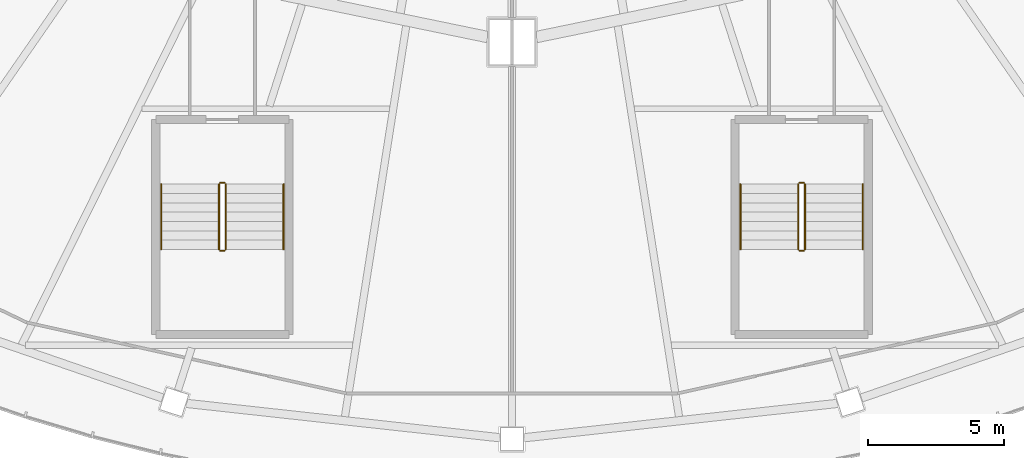
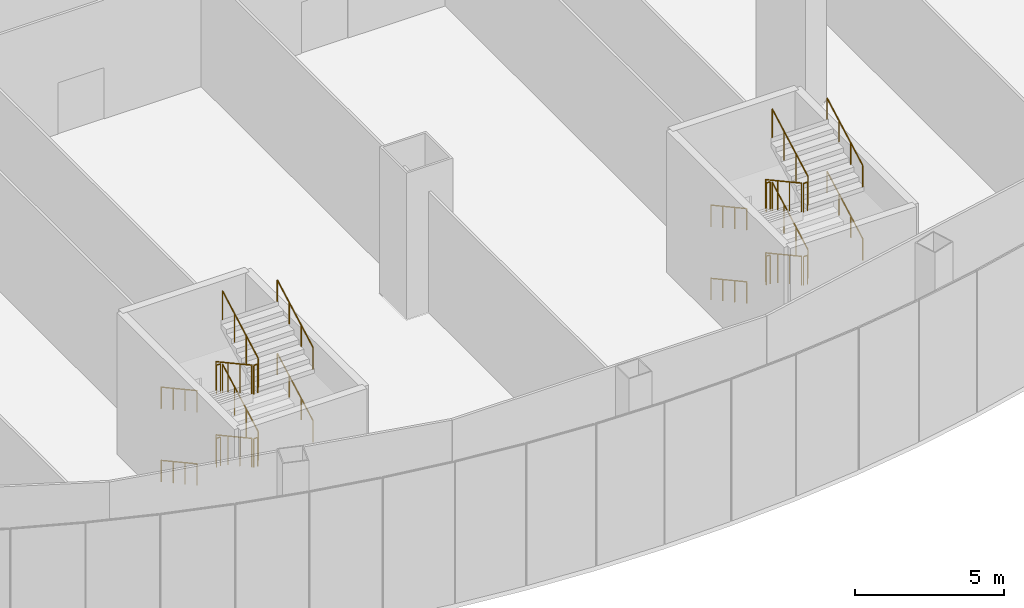
# One storey, part 35 of 37: 24 railings.
"""IFC4 building model written with IfcOpenShell, lengths in metres."""

from ifc_helpers import new_model, si_unit, direction, frame, origin, origin_2d, place, context, subcontext, project, spatial, circle, extrude, material, type_object, element, save


model = new_model("IFC4")

# Units and contexts
model_context = context("Model", 3, precision=1e-05, world=origin(), true_north=direction((0.0, 1.0)))
body_context = subcontext(model_context, "Body", "Model", "MODEL_VIEW")
ifc_project = project(units=[si_unit("LENGTHUNIT", "METRE"), si_unit("AREAUNIT", "SQUARE_METRE"), si_unit("VOLUMEUNIT", "CUBIC_METRE"), si_unit("PLANEANGLEUNIT", "RADIAN"), si_unit("MASSUNIT", "GRAM", prefix="KILO")], contexts=[model_context])

# Site, building, storey
site_placement = place(None, origin())
site = spatial("IfcSite", under=ifc_project, at=site_placement, CompositionType="ELEMENT")
building_placement = place(site_placement, origin())
building = spatial("IfcBuilding", under=site, at=building_placement, Name="Sahrelin Media Tower", CompositionType="ELEMENT")
storey_placement = place(building_placement, frame((0.0, 0.0, 31.39990234375)))
storey = spatial("IfcBuildingStorey", under=building, at=storey_placement, Name="L04", CompositionType="ELEMENT", Elevation=31.39990234375)

# Railings
ifc_material = material(Name="Steel S355", Category="steel")
railing_type_1 = type_object("IfcRailingType", Name="Stair guard 1200", PredefinedType="GUARDRAIL", material=ifc_material)
railing_1_placement = place(storey_placement, frame((-10.77490234375, -30.625, 0.1875)))
element("IfcRailing", 1, at=railing_1_placement, inside=storey, type_object=railing_type_1, Name="L04 PS3 stair guard 1", PredefinedType="GUARDRAIL", context=body_context, shape_type="SweptSolid", body=[
    extrude(circle(Radius=0.02392578125, at=origin_2d()), frame((0.0, 0.0, 1.17578125), z_axis=(0.0, -0.877362920242, 0.479827371233), x_axis=(1.0, 0.0, 0.0)), (0.0, 0.0, 1.0), 2.7353515625),
    extrude(circle(Radius=0.02099609375, at=origin_2d()), origin(), (0.0, 0.0, 1.0), 1.15185546875),
    extrude(circle(Radius=0.02099609375, at=origin_2d()), frame((0.0, -0.800048828125, 0.4375)), (0.0, 0.0, 1.0), 1.15185546875),
    extrude(circle(Radius=0.02099609375, at=origin_2d()), frame((0.0, -1.599853515625, 0.875)), (0.0, 0.0, 1.0), 1.15185546875),
    extrude(circle(Radius=0.02099609375, at=origin_2d()), frame((0.0, -2.39990234375, 1.3125)), (0.0, 0.0, 1.0), 1.15185546875),
])
railing_2_placement = place(storey_placement, frame((-10.72509765625, -33.074951171875, 1.5)))
element("IfcRailing", 2, at=railing_2_placement, inside=storey, type_object=railing_type_1, Name="L04 PS3 stair guard 2", PredefinedType="GUARDRAIL", context=body_context, shape_type="SweptSolid", body=[
    extrude(circle(Radius=0.02392578125, at=origin_2d()), frame((0.0, 0.0, 1.17578125), z_axis=(1.0, 0.0, 0.0), x_axis=(0.0, 1.0, 0.0)), (0.0, 0.0, 1.0), 0.150146484375),
    extrude(circle(Radius=0.02099609375, at=origin_2d()), origin(), (0.0, 0.0, 1.0), 1.15185546875),
    extrude(circle(Radius=0.02099609375, at=origin_2d()), frame((0.150146484375, 0.0, 0.0)), (0.0, 0.0, 1.0), 1.15185546875),
])
railing_3_placement = place(storey_placement, frame((-10.52490234375, -33.02490234375, 1.6875)))
element("IfcRailing", 3, at=railing_3_placement, inside=storey, type_object=railing_type_1, Name="L04 PS3 stair guard 3", PredefinedType="GUARDRAIL", context=body_context, shape_type="SweptSolid", body=[
    extrude(circle(Radius=0.02392578125, at=origin_2d()), frame((0.0, 0.0, 1.17578125), z_axis=(0.0, 0.877362920242, 0.479827371233), x_axis=(-1.0, 0.0, 0.0)), (0.0, 0.0, 1.0), 2.7353515625),
    extrude(circle(Radius=0.02099609375, at=origin_2d()), origin(), (0.0, 0.0, 1.0), 1.15185546875),
    extrude(circle(Radius=0.02099609375, at=origin_2d()), frame((0.0, 0.800048828125, 0.4375)), (0.0, 0.0, 1.0), 1.15185546875),
    extrude(circle(Radius=0.02099609375, at=origin_2d()), frame((0.0, 1.599853515625, 0.875)), (0.0, 0.0, 1.0), 1.15185546875),
    extrude(circle(Radius=0.02099609375, at=origin_2d()), frame((0.0, 2.39990234375, 1.3125)), (0.0, 0.0, 1.0), 1.15185546875),
])
railing_4_placement = place(storey_placement, frame((-10.72509765625, -30.574951171875, 3.0)))
element("IfcRailing", 4, at=railing_4_placement, inside=storey, type_object=railing_type_1, Name="L04 PS3 stair guard 4", PredefinedType="GUARDRAIL", context=body_context, shape_type="SweptSolid", body=[
    extrude(circle(Radius=0.02392578125, at=origin_2d()), frame((0.0, 0.0, 1.17578125), z_axis=(1.0, 0.0, 0.0), x_axis=(0.0, 1.0, 0.0)), (0.0, 0.0, 1.0), 0.150146484375),
    extrude(circle(Radius=0.02099609375, at=origin_2d()), origin(), (0.0, 0.0, 1.0), 1.15185546875),
    extrude(circle(Radius=0.02099609375, at=origin_2d()), frame((0.150146484375, 0.0, 0.0)), (0.0, 0.0, 1.0), 1.15185546875),
])
railing_5_placement = place(storey_placement, frame((-10.77490234375, -30.625, 3.1875)))
element("IfcRailing", 5, at=railing_5_placement, inside=storey, type_object=railing_type_1, Name="L04 PS3 stair guard 5", PredefinedType="GUARDRAIL", context=body_context, shape_type="SweptSolid", body=[
    extrude(circle(Radius=0.02392578125, at=origin_2d()), frame((0.0, 0.0, 1.17578125), z_axis=(0.0, -0.877362920242, 0.479827371233), x_axis=(1.0, 0.0, 0.0)), (0.0, 0.0, 1.0), 2.7353515625),
    extrude(circle(Radius=0.02099609375, at=origin_2d()), origin(), (0.0, 0.0, 1.0), 1.15185546875),
    extrude(circle(Radius=0.02099609375, at=origin_2d()), frame((0.0, -0.800048828125, 0.4375)), (0.0, 0.0, 1.0), 1.15185546875),
    extrude(circle(Radius=0.02099609375, at=origin_2d()), frame((0.0, -1.599853515625, 0.875)), (0.0, 0.0, 1.0), 1.15185546875),
    extrude(circle(Radius=0.02099609375, at=origin_2d()), frame((0.0, -2.39990234375, 1.3125)), (0.0, 0.0, 1.0), 1.15185546875),
])
railing_6_placement = place(storey_placement, frame((-10.72509765625, -33.074951171875, 4.5)))
element("IfcRailing", 6, at=railing_6_placement, inside=storey, type_object=railing_type_1, Name="L04 PS3 stair guard 6", PredefinedType="GUARDRAIL", context=body_context, shape_type="SweptSolid", body=[
    extrude(circle(Radius=0.02392578125, at=origin_2d()), frame((0.0, 0.0, 1.17578125), z_axis=(1.0, 0.0, 0.0), x_axis=(0.0, 1.0, 0.0)), (0.0, 0.0, 1.0), 0.150146484375),
    extrude(circle(Radius=0.02099609375, at=origin_2d()), origin(), (0.0, 0.0, 1.0), 1.15185546875),
    extrude(circle(Radius=0.02099609375, at=origin_2d()), frame((0.150146484375, 0.0, 0.0)), (0.0, 0.0, 1.0), 1.15185546875),
])
railing_7_placement = place(storey_placement, frame((-10.52490234375, -33.02490234375, 4.6875)))
element("IfcRailing", 7, at=railing_7_placement, inside=storey, type_object=railing_type_1, Name="L04 PS3 stair guard 7", PredefinedType="GUARDRAIL", context=body_context, shape_type="SweptSolid", body=[
    extrude(circle(Radius=0.02392578125, at=origin_2d()), frame((0.0, 0.0, 1.17578125), z_axis=(0.0, 0.877362920242, 0.479827371233), x_axis=(-1.0, 0.0, 0.0)), (0.0, 0.0, 1.0), 2.7353515625),
    extrude(circle(Radius=0.02099609375, at=origin_2d()), origin(), (0.0, 0.0, 1.0), 1.15185546875),
    extrude(circle(Radius=0.02099609375, at=origin_2d()), frame((0.0, 0.800048828125, 0.4375)), (0.0, 0.0, 1.0), 1.15185546875),
    extrude(circle(Radius=0.02099609375, at=origin_2d()), frame((0.0, 1.599853515625, 0.875)), (0.0, 0.0, 1.0), 1.15185546875),
    extrude(circle(Radius=0.02099609375, at=origin_2d()), frame((0.0, 2.39990234375, 1.3125)), (0.0, 0.0, 1.0), 1.15185546875),
])
railing_8_placement = place(storey_placement, frame((-10.72509765625, -30.574951171875, 0.0)))
element("IfcRailing", 8, at=railing_8_placement, inside=storey, type_object=railing_type_1, Name="L04 PS3 stair guard 8", PredefinedType="GUARDRAIL", context=body_context, shape_type="SweptSolid", body=[
    extrude(circle(Radius=0.02392578125, at=origin_2d()), frame((0.0, 0.0, 1.17578125), z_axis=(1.0, 0.0, 0.0), x_axis=(0.0, 1.0, 0.0)), (0.0, 0.0, 1.0), 0.150146484375),
    extrude(circle(Radius=0.02099609375, at=origin_2d()), origin(), (0.0, 0.0, 1.0), 1.15185546875),
    extrude(circle(Radius=0.02099609375, at=origin_2d()), frame((0.150146484375, 0.0, 0.0)), (0.0, 0.0, 1.0), 1.15185546875),
])
railing_9_placement = place(storey_placement, frame((10.52490234375, -30.625, 0.1875)))
element("IfcRailing", 9, at=railing_9_placement, inside=storey, type_object=railing_type_1, Name="L04 PS4 stair guard 1", PredefinedType="GUARDRAIL", context=body_context, shape_type="SweptSolid", body=[
    extrude(circle(Radius=0.02392578125, at=origin_2d()), frame((0.0, 0.0, 1.17578125), z_axis=(0.0, -0.877362920242, 0.479827371233), x_axis=(1.0, 0.0, 0.0)), (0.0, 0.0, 1.0), 2.7353515625),
    extrude(circle(Radius=0.02099609375, at=origin_2d()), origin(), (0.0, 0.0, 1.0), 1.15185546875),
    extrude(circle(Radius=0.02099609375, at=origin_2d()), frame((0.0, -0.800048828125, 0.4375)), (0.0, 0.0, 1.0), 1.15185546875),
    extrude(circle(Radius=0.02099609375, at=origin_2d()), frame((0.0, -1.599853515625, 0.875)), (0.0, 0.0, 1.0), 1.15185546875),
    extrude(circle(Radius=0.02099609375, at=origin_2d()), frame((0.0, -2.39990234375, 1.3125)), (0.0, 0.0, 1.0), 1.15185546875),
])
railing_10_placement = place(storey_placement, frame((10.574951171875, -33.074951171875, 1.5)))
element("IfcRailing", 10, at=railing_10_placement, inside=storey, type_object=railing_type_1, Name="L04 PS4 stair guard 2", PredefinedType="GUARDRAIL", context=body_context, shape_type="SweptSolid", body=[
    extrude(circle(Radius=0.02392578125, at=origin_2d()), frame((0.0, 0.0, 1.17578125), z_axis=(1.0, 0.0, 0.0), x_axis=(0.0, 1.0, 0.0)), (0.0, 0.0, 1.0), 0.150146484375),
    extrude(circle(Radius=0.02099609375, at=origin_2d()), origin(), (0.0, 0.0, 1.0), 1.15185546875),
    extrude(circle(Radius=0.02099609375, at=origin_2d()), frame((0.150146484375, 0.0, 0.0)), (0.0, 0.0, 1.0), 1.15185546875),
])
railing_11_placement = place(storey_placement, frame((10.77490234375, -33.02490234375, 1.6875)))
element("IfcRailing", 11, at=railing_11_placement, inside=storey, type_object=railing_type_1, Name="L04 PS4 stair guard 3", PredefinedType="GUARDRAIL", context=body_context, shape_type="SweptSolid", body=[
    extrude(circle(Radius=0.02392578125, at=origin_2d()), frame((0.0, 0.0, 1.17578125), z_axis=(0.0, 0.877362920242, 0.479827371233), x_axis=(-1.0, 0.0, 0.0)), (0.0, 0.0, 1.0), 2.7353515625),
    extrude(circle(Radius=0.02099609375, at=origin_2d()), origin(), (0.0, 0.0, 1.0), 1.15185546875),
    extrude(circle(Radius=0.02099609375, at=origin_2d()), frame((0.0, 0.800048828125, 0.4375)), (0.0, 0.0, 1.0), 1.15185546875),
    extrude(circle(Radius=0.02099609375, at=origin_2d()), frame((0.0, 1.599853515625, 0.875)), (0.0, 0.0, 1.0), 1.15185546875),
    extrude(circle(Radius=0.02099609375, at=origin_2d()), frame((0.0, 2.39990234375, 1.3125)), (0.0, 0.0, 1.0), 1.15185546875),
])
railing_12_placement = place(storey_placement, frame((10.574951171875, -30.574951171875, 3.0)))
element("IfcRailing", 12, at=railing_12_placement, inside=storey, type_object=railing_type_1, Name="L04 PS4 stair guard 4", PredefinedType="GUARDRAIL", context=body_context, shape_type="SweptSolid", body=[
    extrude(circle(Radius=0.02392578125, at=origin_2d()), frame((0.0, 0.0, 1.17578125), z_axis=(1.0, 0.0, 0.0), x_axis=(0.0, 1.0, 0.0)), (0.0, 0.0, 1.0), 0.150146484375),
    extrude(circle(Radius=0.02099609375, at=origin_2d()), origin(), (0.0, 0.0, 1.0), 1.15185546875),
    extrude(circle(Radius=0.02099609375, at=origin_2d()), frame((0.150146484375, 0.0, 0.0)), (0.0, 0.0, 1.0), 1.15185546875),
])
railing_13_placement = place(storey_placement, frame((10.52490234375, -30.625, 3.1875)))
element("IfcRailing", 13, at=railing_13_placement, inside=storey, type_object=railing_type_1, Name="L04 PS4 stair guard 5", PredefinedType="GUARDRAIL", context=body_context, shape_type="SweptSolid", body=[
    extrude(circle(Radius=0.02392578125, at=origin_2d()), frame((0.0, 0.0, 1.17578125), z_axis=(0.0, -0.877362920242, 0.479827371233), x_axis=(1.0, 0.0, 0.0)), (0.0, 0.0, 1.0), 2.7353515625),
    extrude(circle(Radius=0.02099609375, at=origin_2d()), origin(), (0.0, 0.0, 1.0), 1.15185546875),
    extrude(circle(Radius=0.02099609375, at=origin_2d()), frame((0.0, -0.800048828125, 0.4375)), (0.0, 0.0, 1.0), 1.15185546875),
    extrude(circle(Radius=0.02099609375, at=origin_2d()), frame((0.0, -1.599853515625, 0.875)), (0.0, 0.0, 1.0), 1.15185546875),
    extrude(circle(Radius=0.02099609375, at=origin_2d()), frame((0.0, -2.39990234375, 1.3125)), (0.0, 0.0, 1.0), 1.15185546875),
])
railing_14_placement = place(storey_placement, frame((10.574951171875, -33.074951171875, 4.5)))
element("IfcRailing", 14, at=railing_14_placement, inside=storey, type_object=railing_type_1, Name="L04 PS4 stair guard 6", PredefinedType="GUARDRAIL", context=body_context, shape_type="SweptSolid", body=[
    extrude(circle(Radius=0.02392578125, at=origin_2d()), frame((0.0, 0.0, 1.17578125), z_axis=(1.0, 0.0, 0.0), x_axis=(0.0, 1.0, 0.0)), (0.0, 0.0, 1.0), 0.150146484375),
    extrude(circle(Radius=0.02099609375, at=origin_2d()), origin(), (0.0, 0.0, 1.0), 1.15185546875),
    extrude(circle(Radius=0.02099609375, at=origin_2d()), frame((0.150146484375, 0.0, 0.0)), (0.0, 0.0, 1.0), 1.15185546875),
])
railing_15_placement = place(storey_placement, frame((10.77490234375, -33.02490234375, 4.6875)))
element("IfcRailing", 15, at=railing_15_placement, inside=storey, type_object=railing_type_1, Name="L04 PS4 stair guard 7", PredefinedType="GUARDRAIL", context=body_context, shape_type="SweptSolid", body=[
    extrude(circle(Radius=0.02392578125, at=origin_2d()), frame((0.0, 0.0, 1.17578125), z_axis=(0.0, 0.877362920242, 0.479827371233), x_axis=(-1.0, 0.0, 0.0)), (0.0, 0.0, 1.0), 2.7353515625),
    extrude(circle(Radius=0.02099609375, at=origin_2d()), origin(), (0.0, 0.0, 1.0), 1.15185546875),
    extrude(circle(Radius=0.02099609375, at=origin_2d()), frame((0.0, 0.800048828125, 0.4375)), (0.0, 0.0, 1.0), 1.15185546875),
    extrude(circle(Radius=0.02099609375, at=origin_2d()), frame((0.0, 1.599853515625, 0.875)), (0.0, 0.0, 1.0), 1.15185546875),
    extrude(circle(Radius=0.02099609375, at=origin_2d()), frame((0.0, 2.39990234375, 1.3125)), (0.0, 0.0, 1.0), 1.15185546875),
])
railing_16_placement = place(storey_placement, frame((10.574951171875, -30.574951171875, 0.0)))
element("IfcRailing", 16, at=railing_16_placement, inside=storey, type_object=railing_type_1, Name="L04 PS4 stair guard 8", PredefinedType="GUARDRAIL", context=body_context, shape_type="SweptSolid", body=[
    extrude(circle(Radius=0.02392578125, at=origin_2d()), frame((0.0, 0.0, 1.17578125), z_axis=(1.0, 0.0, 0.0), x_axis=(0.0, 1.0, 0.0)), (0.0, 0.0, 1.0), 0.150146484375),
    extrude(circle(Radius=0.02099609375, at=origin_2d()), origin(), (0.0, 0.0, 1.0), 1.15185546875),
    extrude(circle(Radius=0.02099609375, at=origin_2d()), frame((0.150146484375, 0.0, 0.0)), (0.0, 0.0, 1.0), 1.15185546875),
])
railing_type_2 = type_object("IfcRailingType", Name="Stair handrail 900", PredefinedType="HANDRAIL", material=ifc_material)
railing_17_placement = place(storey_placement, frame((-12.89990234375, -30.625, 0.1875)))
element("IfcRailing", 17, at=railing_17_placement, inside=storey, type_object=railing_type_2, Name="L04 PS3 stair handrail 1", PredefinedType="HANDRAIL", context=body_context, shape_type="SweptSolid", body=[
    extrude(circle(Radius=0.02392578125, at=origin_2d()), frame((0.0, 0.0, 0.8759765625), z_axis=(0.0, -0.877362920242, 0.479827371233), x_axis=(1.0, 0.0, 0.0)), (0.0, 0.0, 1.0), 2.7353515625),
    extrude(circle(Radius=0.02099609375, at=origin_2d()), origin(), (0.0, 0.0, 1.0), 0.851806640625),
    extrude(circle(Radius=0.02099609375, at=origin_2d()), frame((0.0, -0.800048828125, 0.4375)), (0.0, 0.0, 1.0), 0.851806640625),
    extrude(circle(Radius=0.02099609375, at=origin_2d()), frame((0.0, -1.599853515625, 0.875)), (0.0, 0.0, 1.0), 0.851806640625),
    extrude(circle(Radius=0.02099609375, at=origin_2d()), frame((0.0, -2.39990234375, 1.3125)), (0.0, 0.0, 1.0), 0.851806640625),
])
railing_18_placement = place(storey_placement, frame((-8.39990234375, -33.02490234375, 1.6875)))
element("IfcRailing", 18, at=railing_18_placement, inside=storey, type_object=railing_type_2, Name="L04 PS3 stair handrail 2", PredefinedType="HANDRAIL", context=body_context, shape_type="SweptSolid", body=[
    extrude(circle(Radius=0.02392578125, at=origin_2d()), frame((0.0, 0.0, 0.8759765625), z_axis=(0.0, 0.877362920242, 0.479827371233), x_axis=(-1.0, 0.0, 0.0)), (0.0, 0.0, 1.0), 2.7353515625),
    extrude(circle(Radius=0.02099609375, at=origin_2d()), origin(), (0.0, 0.0, 1.0), 0.851806640625),
    extrude(circle(Radius=0.02099609375, at=origin_2d()), frame((0.0, 0.800048828125, 0.4375)), (0.0, 0.0, 1.0), 0.851806640625),
    extrude(circle(Radius=0.02099609375, at=origin_2d()), frame((0.0, 1.599853515625, 0.875)), (0.0, 0.0, 1.0), 0.851806640625),
    extrude(circle(Radius=0.02099609375, at=origin_2d()), frame((0.0, 2.39990234375, 1.3125)), (0.0, 0.0, 1.0), 0.851806640625),
])
railing_19_placement = place(storey_placement, frame((-12.89990234375, -30.625, 3.1875)))
element("IfcRailing", 19, at=railing_19_placement, inside=storey, type_object=railing_type_2, Name="L04 PS3 stair handrail 3", PredefinedType="HANDRAIL", context=body_context, shape_type="SweptSolid", body=[
    extrude(circle(Radius=0.02392578125, at=origin_2d()), frame((0.0, 0.0, 0.8759765625), z_axis=(0.0, -0.877362920242, 0.479827371233), x_axis=(1.0, 0.0, 0.0)), (0.0, 0.0, 1.0), 2.7353515625),
    extrude(circle(Radius=0.02099609375, at=origin_2d()), origin(), (0.0, 0.0, 1.0), 0.851806640625),
    extrude(circle(Radius=0.02099609375, at=origin_2d()), frame((0.0, -0.800048828125, 0.4375)), (0.0, 0.0, 1.0), 0.851806640625),
    extrude(circle(Radius=0.02099609375, at=origin_2d()), frame((0.0, -1.599853515625, 0.875)), (0.0, 0.0, 1.0), 0.851806640625),
    extrude(circle(Radius=0.02099609375, at=origin_2d()), frame((0.0, -2.39990234375, 1.3125)), (0.0, 0.0, 1.0), 0.851806640625),
])
railing_20_placement = place(storey_placement, frame((-8.39990234375, -33.02490234375, 4.6875)))
element("IfcRailing", 20, at=railing_20_placement, inside=storey, type_object=railing_type_2, Name="L04 PS3 stair handrail 4", PredefinedType="HANDRAIL", context=body_context, shape_type="SweptSolid", body=[
    extrude(circle(Radius=0.02392578125, at=origin_2d()), frame((0.0, 0.0, 0.8759765625), z_axis=(0.0, 0.877362920242, 0.479827371233), x_axis=(-1.0, 0.0, 0.0)), (0.0, 0.0, 1.0), 2.7353515625),
    extrude(circle(Radius=0.02099609375, at=origin_2d()), origin(), (0.0, 0.0, 1.0), 0.851806640625),
    extrude(circle(Radius=0.02099609375, at=origin_2d()), frame((0.0, 0.800048828125, 0.4375)), (0.0, 0.0, 1.0), 0.851806640625),
    extrude(circle(Radius=0.02099609375, at=origin_2d()), frame((0.0, 1.599853515625, 0.875)), (0.0, 0.0, 1.0), 0.851806640625),
    extrude(circle(Radius=0.02099609375, at=origin_2d()), frame((0.0, 2.39990234375, 1.3125)), (0.0, 0.0, 1.0), 0.851806640625),
])
railing_21_placement = place(storey_placement, frame((8.39990234375, -30.625, 0.1875)))
element("IfcRailing", 21, at=railing_21_placement, inside=storey, type_object=railing_type_2, Name="L04 PS4 stair handrail 1", PredefinedType="HANDRAIL", context=body_context, shape_type="SweptSolid", body=[
    extrude(circle(Radius=0.02392578125, at=origin_2d()), frame((0.0, 0.0, 0.8759765625), z_axis=(0.0, -0.877362920242, 0.479827371233), x_axis=(1.0, 0.0, 0.0)), (0.0, 0.0, 1.0), 2.7353515625),
    extrude(circle(Radius=0.02099609375, at=origin_2d()), origin(), (0.0, 0.0, 1.0), 0.851806640625),
    extrude(circle(Radius=0.02099609375, at=origin_2d()), frame((0.0, -0.800048828125, 0.4375)), (0.0, 0.0, 1.0), 0.851806640625),
    extrude(circle(Radius=0.02099609375, at=origin_2d()), frame((0.0, -1.599853515625, 0.875)), (0.0, 0.0, 1.0), 0.851806640625),
    extrude(circle(Radius=0.02099609375, at=origin_2d()), frame((0.0, -2.39990234375, 1.3125)), (0.0, 0.0, 1.0), 0.851806640625),
])
railing_22_placement = place(storey_placement, frame((12.89990234375, -33.02490234375, 1.6875)))
element("IfcRailing", 22, at=railing_22_placement, inside=storey, type_object=railing_type_2, Name="L04 PS4 stair handrail 2", PredefinedType="HANDRAIL", context=body_context, shape_type="SweptSolid", body=[
    extrude(circle(Radius=0.02392578125, at=origin_2d()), frame((0.0, 0.0, 0.8759765625), z_axis=(0.0, 0.877362920242, 0.479827371233), x_axis=(-1.0, 0.0, 0.0)), (0.0, 0.0, 1.0), 2.7353515625),
    extrude(circle(Radius=0.02099609375, at=origin_2d()), origin(), (0.0, 0.0, 1.0), 0.851806640625),
    extrude(circle(Radius=0.02099609375, at=origin_2d()), frame((0.0, 0.800048828125, 0.4375)), (0.0, 0.0, 1.0), 0.851806640625),
    extrude(circle(Radius=0.02099609375, at=origin_2d()), frame((0.0, 1.599853515625, 0.875)), (0.0, 0.0, 1.0), 0.851806640625),
    extrude(circle(Radius=0.02099609375, at=origin_2d()), frame((0.0, 2.39990234375, 1.3125)), (0.0, 0.0, 1.0), 0.851806640625),
])
railing_23_placement = place(storey_placement, frame((8.39990234375, -30.625, 3.1875)))
element("IfcRailing", 23, at=railing_23_placement, inside=storey, type_object=railing_type_2, Name="L04 PS4 stair handrail 3", PredefinedType="HANDRAIL", context=body_context, shape_type="SweptSolid", body=[
    extrude(circle(Radius=0.02392578125, at=origin_2d()), frame((0.0, 0.0, 0.8759765625), z_axis=(0.0, -0.877362920242, 0.479827371233), x_axis=(1.0, 0.0, 0.0)), (0.0, 0.0, 1.0), 2.7353515625),
    extrude(circle(Radius=0.02099609375, at=origin_2d()), origin(), (0.0, 0.0, 1.0), 0.851806640625),
    extrude(circle(Radius=0.02099609375, at=origin_2d()), frame((0.0, -0.800048828125, 0.4375)), (0.0, 0.0, 1.0), 0.851806640625),
    extrude(circle(Radius=0.02099609375, at=origin_2d()), frame((0.0, -1.599853515625, 0.875)), (0.0, 0.0, 1.0), 0.851806640625),
    extrude(circle(Radius=0.02099609375, at=origin_2d()), frame((0.0, -2.39990234375, 1.3125)), (0.0, 0.0, 1.0), 0.851806640625),
])
railing_24_placement = place(storey_placement, frame((12.89990234375, -33.02490234375, 4.6875)))
element("IfcRailing", 24, at=railing_24_placement, inside=storey, type_object=railing_type_2, Name="L04 PS4 stair handrail 4", PredefinedType="HANDRAIL", context=body_context, shape_type="SweptSolid", body=[
    extrude(circle(Radius=0.02392578125, at=origin_2d()), frame((0.0, 0.0, 0.8759765625), z_axis=(0.0, 0.877362920242, 0.479827371233), x_axis=(-1.0, 0.0, 0.0)), (0.0, 0.0, 1.0), 2.7353515625),
    extrude(circle(Radius=0.02099609375, at=origin_2d()), origin(), (0.0, 0.0, 1.0), 0.851806640625),
    extrude(circle(Radius=0.02099609375, at=origin_2d()), frame((0.0, 0.800048828125, 0.4375)), (0.0, 0.0, 1.0), 0.851806640625),
    extrude(circle(Radius=0.02099609375, at=origin_2d()), frame((0.0, 1.599853515625, 0.875)), (0.0, 0.0, 1.0), 0.851806640625),
    extrude(circle(Radius=0.02099609375, at=origin_2d()), frame((0.0, 2.39990234375, 1.3125)), (0.0, 0.0, 1.0), 0.851806640625),
])

save(model, "model.ifc")
